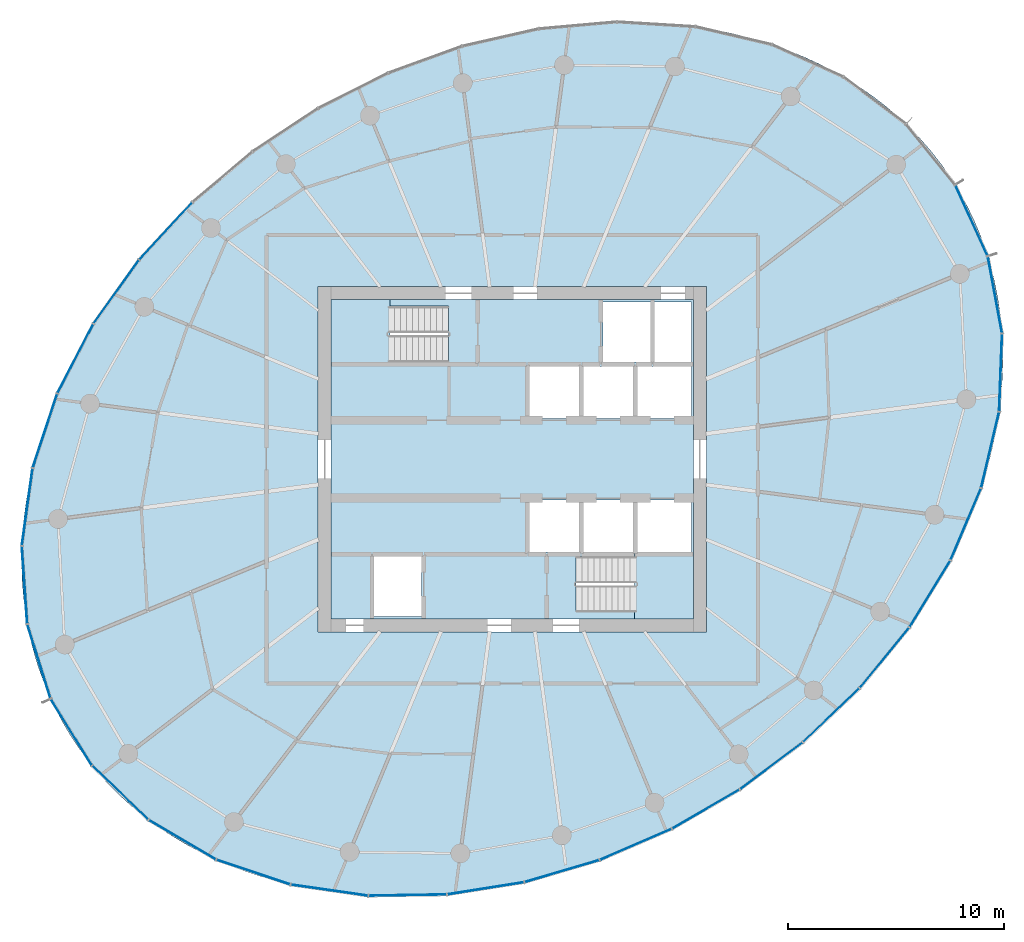
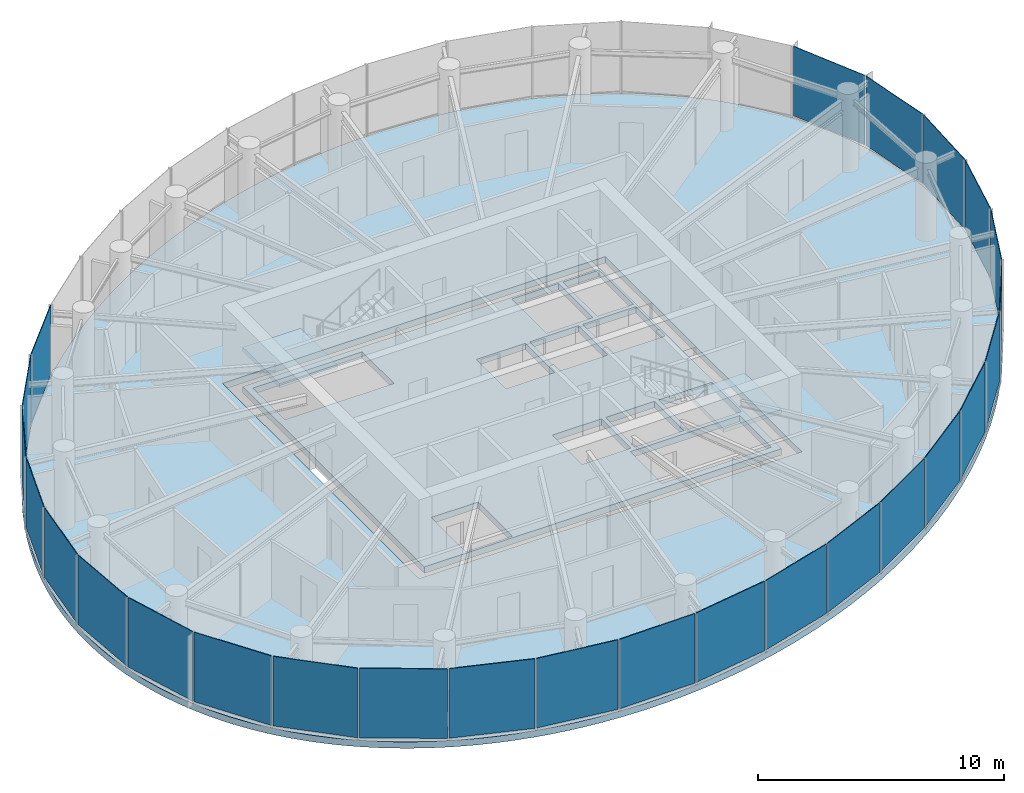
# One storey, part 8 of 15: 26 plates, 4 slabs, 7 elements without a shape of their own.
"""IFC4 building model written with IfcOpenShell, lengths in metres."""

from ifc_helpers import new_model, si_unit, direction, frame, origin, origin_2d, place, context, subcontext, project, spatial, line, indexed_curve, rectangle, outline, extrude, source, transform, mapped, material, layer, layer_set, type_object, element, aggregate, save


model = new_model("IFC4")

# Units and contexts
model_context = context("Model", 3, precision=1e-05, world=origin(), true_north=direction((0.0, 1.0)))
body_context = subcontext(model_context, "Body", "Model", "MODEL_VIEW")
ifc_project = project(units=[si_unit("LENGTHUNIT", "METRE"), si_unit("AREAUNIT", "SQUARE_METRE"), si_unit("VOLUMEUNIT", "CUBIC_METRE"), si_unit("PLANEANGLEUNIT", "RADIAN"), si_unit("MASSUNIT", "GRAM", prefix="KILO")], contexts=[model_context])

# Site, building, storey
site_placement = place(None, origin())
site = spatial("IfcSite", under=ifc_project, at=site_placement, CompositionType="ELEMENT")
building_placement = place(site_placement, origin())
building = spatial("IfcBuilding", under=site, at=building_placement, Name="Spindrift Exchange Tower", CompositionType="ELEMENT")
storey_placement = place(building_placement, frame((0.0, 0.0, 199.39990234375)))
storey = spatial("IfcBuildingStorey", under=building, at=storey_placement, Name="L48", CompositionType="ELEMENT", Elevation=199.39990234375)

# Slabs
ifc_material_1 = material(Name="Concrete 40 MPa", Category="concrete")
ifc_layer_1 = layer(ifc_material_1, 0.320068359375)
ifc_layer_set_1 = layer_set([ifc_layer_1], Name="RC Floor Slab 320 Concrete 40 MPa")
slab_type_1 = type_object("IfcSlabType", Name="RC Floor Slab 320 Concrete 40 MPa", PredefinedType="FLOOR", material=ifc_layer_set_1)
slab_1_placement = place(storey_placement, frame((0.0, 0.0, -0.31982421875)))
element("IfcSlab", 1, at=slab_1_placement, inside=storey, type_object=slab_type_1, Name="Floor slab L48", PredefinedType="FLOOR", context=body_context, shape_type="SweptSolid", body=[
    extrude(outline(indexed_curve([(72.54150390625, 60.718994140625), (72.130615234375, 61.345458984375), (71.9130859375, 61.650390625), (71.454345703125, 62.24267578125), (70.965576171875, 62.810302734375), (70.4482421875, 63.352294921875), (70.179443359375, 63.613037109375), (69.622802734375, 64.1142578125), (69.335205078125, 64.3544921875), (68.742919921875, 64.81298828125), (68.129150390625, 65.242919921875), (67.81494140625, 65.44677734375), (67.1728515625, 65.83251953125), (66.513916015625, 66.18896484375), (66.1787109375, 66.356201171875), (65.497802734375, 66.66845703125), (64.80419921875, 66.951904296875), (64.453125, 67.082763671875), (63.743408203125, 67.322998046875), (63.02490234375, 67.53515625), (62.298828125, 67.7197265625), (61.933349609375, 67.8017578125), (61.56640625, 67.877197265625), (60.828857421875, 68.0078125), (60.458251953125, 68.063720703125), (59.71484375, 68.155517578125), (59.342041015625, 68.192138671875), (58.5947265625, 68.246826171875), (57.84619140625, 68.277099609375), (57.4716796875, 68.283203125), (57.096923828125, 68.28369140625), (56.347900390625, 68.267333984375), (55.599853515625, 68.228271484375), (55.226318359375, 68.200439453125), (54.85302734375, 68.167236328125), (54.1083984375, 68.084716796875), (53.737060546875, 68.035400390625), (52.99658203125, 67.92138671875), (52.627685546875, 67.856689453125), (51.892578125, 67.712646484375), (51.5263671875, 67.63330078125), (50.797607421875, 67.459716796875), (49.71337890625, 67.163818359375), (48.641357421875, 66.826904296875), (47.5830078125, 66.449462890625), (46.5390625, 66.032958984375), (45.51123046875, 65.578369140625), (44.500732421875, 65.0869140625), (43.508544921875, 64.559326171875), (42.85791015625, 64.18798828125), (42.216064453125, 63.80126953125), (41.271484375, 63.192626953125), (40.34912109375, 62.550537109375), (39.747314453125, 62.104248046875), (39.156494140625, 61.6435546875), (38.29150390625, 60.92626953125), (37.45361328125, 60.177490234375), (36.643798828125, 59.398193359375), (35.8642578125, 58.5888671875), (35.1162109375, 57.75), (34.40185546875, 56.8828125), (33.945068359375, 56.288818359375), (33.72265625, 55.9873046875), (33.290771484375, 55.375244140625), (33.0810546875, 55.064697265625), (32.8759765625, 54.751220703125), (32.479248046875, 54.11572265625), (32.10107421875, 53.468994140625), (31.919189453125, 53.141357421875), (31.57080078125, 52.478271484375), (31.404052734375, 52.142822265625), (31.0869140625, 51.464111328125), (30.936279296875, 51.12109375), (30.791259765625, 50.775634765625), (30.5185546875, 50.077880859375), (30.26953125, 49.37109375), (30.154296875, 49.014892578125), (29.942626953125, 48.296142578125), (29.846435546875, 47.93408203125), (29.67431640625, 47.204833984375), (29.5986328125, 46.838134765625), (29.46826171875, 46.100341796875), (29.3671875, 45.35791015625), (29.327880859375, 44.985595703125), (29.272216796875, 44.23828125), (29.248291015625, 43.489501953125), (29.24853515625, 43.114990234375), (29.273681640625, 42.3662109375), (29.3330078125, 41.619384765625), (29.37548828125, 41.247314453125), (29.48681640625, 40.50634765625), (29.63330078125, 39.771728515625), (29.72021484375, 39.4072265625), (29.920654296875, 38.685302734375), (30.0341796875, 38.32861328125), (30.288818359375, 37.6240234375), (30.5791015625, 36.933349609375), (30.90478515625, 36.2587890625), (31.265380859375, 35.60205078125), (31.45849609375, 35.281005859375), (31.869384765625, 34.654541015625), (32.0869140625, 34.349609375), (32.545654296875, 33.75732421875), (33.034423828125, 33.189697265625), (33.5517578125, 32.647705078125), (33.820556640625, 32.386962890625), (34.377197265625, 31.8857421875), (34.664794921875, 31.6455078125), (35.257080078125, 31.18701171875), (35.870849609375, 30.757080078125), (36.18505859375, 30.55322265625), (36.8271484375, 30.16748046875), (37.486083984375, 29.81103515625), (37.8212890625, 29.643798828125), (38.502197265625, 29.33154296875), (39.19580078125, 29.048095703125), (39.546875, 28.917236328125), (40.256591796875, 28.677001953125), (40.97509765625, 28.46484375), (41.701171875, 28.2802734375), (42.066650390625, 28.1982421875), (42.43359375, 28.122802734375), (43.171142578125, 27.9921875), (43.541748046875, 27.936279296875), (44.28515625, 27.844482421875), (44.657958984375, 27.807861328125), (45.4052734375, 27.753173828125), (46.15380859375, 27.722900390625), (46.5283203125, 27.716796875), (46.903076171875, 27.71630859375), (47.652099609375, 27.732666015625), (48.400146484375, 27.771728515625), (48.773681640625, 27.799560546875), (49.14697265625, 27.832763671875), (49.8916015625, 27.915283203125), (50.262939453125, 27.964599609375), (51.00341796875, 28.07861328125), (51.372314453125, 28.143310546875), (52.107421875, 28.287353515625), (52.4736328125, 28.36669921875), (53.202392578125, 28.540283203125), (54.28662109375, 28.836181640625), (55.358642578125, 29.173095703125), (56.4169921875, 29.550537109375), (57.4609375, 29.967041015625), (58.48876953125, 30.421630859375), (59.499267578125, 30.9130859375), (60.491455078125, 31.440673828125), (61.14208984375, 31.81201171875), (61.783935546875, 32.19873046875), (62.728515625, 32.807373046875), (63.65087890625, 33.449462890625), (64.252685546875, 33.895751953125), (64.843505859375, 34.3564453125), (65.70849609375, 35.07373046875), (66.54638671875, 35.822509765625), (67.356201171875, 36.601806640625), (68.1357421875, 37.4111328125), (68.8837890625, 38.25), (69.59814453125, 39.1171875), (70.054931640625, 39.711181640625), (70.27734375, 40.0126953125), (70.709228515625, 40.624755859375), (70.9189453125, 40.935302734375), (71.1240234375, 41.248779296875), (71.520751953125, 41.88427734375), (71.89892578125, 42.531005859375), (72.080810546875, 42.858642578125), (72.42919921875, 43.521728515625), (72.595947265625, 43.857177734375), (72.9130859375, 44.535888671875), (73.063720703125, 44.87890625), (73.208740234375, 45.224365234375), (73.4814453125, 45.922119140625), (73.73046875, 46.62890625), (73.845703125, 46.985107421875), (74.057373046875, 47.703857421875), (74.153564453125, 48.06591796875), (74.32568359375, 48.795166015625), (74.4013671875, 49.161865234375), (74.53173828125, 49.899658203125), (74.6328125, 50.64208984375), (74.672119140625, 51.014404296875), (74.727783203125, 51.76171875), (74.751708984375, 52.510498046875), (74.75146484375, 52.885009765625), (74.726318359375, 53.6337890625), (74.6669921875, 54.380615234375), (74.62451171875, 54.752685546875), (74.51318359375, 55.49365234375), (74.36669921875, 56.228271484375), (74.27978515625, 56.5927734375), (74.079345703125, 57.314697265625), (73.9658203125, 57.67138671875), (73.711181640625, 58.3759765625), (73.4208984375, 59.066650390625), (73.09521484375, 59.7412109375), (72.734619140625, 60.39794921875)], segments=[line(1, 2, 3, 4, 5, 6, 7, 8, 9, 10, 11, 12, 13, 14, 15, 16, 17, 18, 19, 20, 21, 22, 23, 24, 25, 26, 27, 28, 29, 30, 31, 32, 33, 34, 35, 36, 37, 38, 39, 40, 41, 42, 43, 44, 45, 46, 47, 48, 49, 50, 51, 52, 53, 54, 55, 56, 57, 58, 59, 60, 61, 62, 63, 64, 65, 66, 67, 68, 69, 70, 71, 72, 73, 74, 75, 76, 77, 78, 79, 80, 81, 82, 83, 84, 85, 86, 87, 88, 89, 90, 91, 92, 93, 94, 95, 96, 97, 98, 99, 100, 101, 102, 103, 104, 105, 106, 107, 108, 109, 110, 111, 112, 113, 114, 115, 116, 117, 118, 119, 120, 121, 122, 123, 124, 125, 126, 127, 128, 129, 130, 131, 132, 133, 134, 135, 136, 137, 138, 139, 140, 141, 142, 143, 144, 145, 146, 147, 148, 149, 150, 151, 152, 153, 154, 155, 156, 157, 158, 159, 160, 161, 162, 163, 164, 165, 166, 167, 168, 169, 170, 171, 172, 173, 174, 175, 176, 177, 178, 179, 180, 181, 182, 183, 184, 185, 186, 187, 188, 189, 190, 191, 192, 193, 194, 195, 196, 197, 198, 1)], self_intersect=False), holes=[indexed_curve([(43.0, 40.0), (61.0, 40.0), (61.0, 56.0), (43.0, 56.0)], segments=[line(1, 2, 3, 4, 1)], self_intersect=False)]), origin(), (0.0, 0.0, 1.0), 0.31982421875),
])
ifc_material_2 = material(Name="Concrete 50 MPa", Category="concrete")
ifc_layer_2 = layer(ifc_material_2, 0.320068359375)
ifc_layer_set_2 = layer_set([ifc_layer_2], Name="SL-CORE-FLOOR-320")
slab_type_2 = type_object("IfcSlabType", Name="SL-CORE-FLOOR-320", PredefinedType="FLOOR", material=ifc_layer_set_2)
slab_2_placement = place(storey_placement, frame((0.0, 0.0, -0.31982421875)))
element("IfcSlab", 2, at=slab_2_placement, inside=storey, type_object=slab_type_2, Name="L48 Core floor slab", PredefinedType="FLOOR", context=body_context, shape_type="SweptSolid", body=[
    extrude(outline(indexed_curve([(43.60009765625, 40.60009765625), (43.60009765625, 55.39990234375), (60.39990234375, 55.39990234375), (60.39990234375, 40.60009765625)], segments=[line(1, 2, 3, 4, 1)], self_intersect=False), holes=[indexed_curve([(45.60009765625, 43.5), (45.60009765625, 40.699951171875), (47.800048828125, 40.699951171875), (47.800048828125, 43.5)], segments=[line(1, 2, 3, 4, 1)], self_intersect=False), indexed_curve([(52.800048828125, 46.10009765625), (52.800048828125, 43.699951171875), (55.10009765625, 43.699951171875), (55.10009765625, 46.10009765625)], segments=[line(1, 2, 3, 4, 1)], self_intersect=False), indexed_curve([(55.300048828125, 46.10009765625), (55.300048828125, 43.699951171875), (57.60009765625, 43.699951171875), (57.60009765625, 46.10009765625)], segments=[line(1, 2, 3, 4, 1)], self_intersect=False), indexed_curve([(55.10009765625, 52.300048828125), (52.800048828125, 52.300048828125), (52.800048828125, 49.89990234375), (55.10009765625, 49.89990234375)], segments=[line(1, 2, 3, 4, 1)], self_intersect=False), indexed_curve([(57.60009765625, 52.300048828125), (55.300048828125, 52.300048828125), (55.300048828125, 49.89990234375), (57.60009765625, 49.89990234375)], segments=[line(1, 2, 3, 4, 1)], self_intersect=False), indexed_curve([(43.906005859375, 52.506103515625), (49.0439453125, 52.506103515625), (49.0439453125, 55.093994140625), (43.906005859375, 55.093994140625)], segments=[line(1, 2, 3, 4, 1)], self_intersect=False), indexed_curve([(60.093994140625, 40.906005859375), (60.093994140625, 43.493896484375), (54.9560546875, 43.493896484375), (54.9560546875, 40.906005859375)], segments=[line(1, 2, 3, 4, 1)], self_intersect=False), indexed_curve([(60.300048828125, 46.10009765625), (57.800048828125, 46.10009765625), (57.800048828125, 43.699951171875), (60.300048828125, 43.699951171875)], segments=[line(1, 2, 3, 4, 1)], self_intersect=False), indexed_curve([(57.800048828125, 52.300048828125), (57.800048828125, 49.89990234375), (60.300048828125, 49.89990234375), (60.300048828125, 52.300048828125)], segments=[line(1, 2, 3, 4, 1)], self_intersect=False), indexed_curve([(58.39990234375, 55.300048828125), (56.199951171875, 55.300048828125), (56.199951171875, 52.5), (58.39990234375, 52.5)], segments=[line(1, 2, 3, 4, 1)], self_intersect=False), indexed_curve([(60.300048828125, 55.300048828125), (58.60009765625, 55.300048828125), (58.60009765625, 52.5), (60.300048828125, 52.5)], segments=[line(1, 2, 3, 4, 1)], self_intersect=False)]), origin(), (0.0, 0.0, 1.0), 0.31982421875),
])

# Stair, slab
stair_type = type_object("IfcStairType", Name="ST-1250-R177", PredefinedType="HALF_TURN_STAIR", material=ifc_material_2)
stair_1_placement = place(storey_placement, origin())
stair_1 = element("IfcStair", 3, at=stair_1_placement, inside=storey, type_object=stair_type, Name="L48 Exit stair ST1", PredefinedType="HALF_TURN_STAIR")
ifc_layer_3 = layer(ifc_material_2, 0.199951171875)
ifc_layer_set_3 = layer_set([ifc_layer_3], Name="SL-LANDING")
slab_type_3 = type_object("IfcSlabType", Name="SL-LANDING", PredefinedType="LANDING", material=ifc_layer_set_3)
slab_3_placement = place(storey_placement, frame((0.0, 0.0, 1.75)))
slab_3 = element("IfcSlab", 4, at=slab_3_placement, type_object=slab_type_3, Name="ST1 landing 1", PredefinedType="LANDING", context=body_context, shape_type="SweptSolid", body=[
    extrude(outline(indexed_curve([(46.330078125, 52.39990234375), (43.60009765625, 52.39990234375), (43.60009765625, 55.39990234375), (46.330078125, 55.39990234375)], segments=[line(1, 2, 3, 4, 1)], self_intersect=False)), origin(), (0.0, 0.0, 1.0), 0.2001953125),
])
aggregate(stair_1, [slab_3])

stair_2_placement = place(storey_placement, origin())
stair_2 = element("IfcStair", 5, at=stair_2_placement, inside=storey, type_object=stair_type, Name="L48 Exit stair ST2", PredefinedType="HALF_TURN_STAIR")
slab_4_placement = place(storey_placement, frame((0.0, 0.0, 1.75)))
slab_4 = element("IfcSlab", 6, at=slab_4_placement, type_object=slab_type_3, Name="ST2 landing 1", PredefinedType="LANDING", context=body_context, shape_type="SweptSolid", body=[
    extrude(outline(indexed_curve([(57.669921875, 43.60009765625), (60.39990234375, 43.60009765625), (60.39990234375, 40.60009765625), (57.669921875, 40.60009765625)], segments=[line(1, 2, 3, 4, 1)], self_intersect=False)), origin(), (0.0, 0.0, 1.0), 0.2001953125),
])
aggregate(stair_2, [slab_4])

# Curtain wall, plate
ifc_material_3 = material(Name="Fritted laminated glass with bronze frame", Category="glass")
ifc_layer_4 = layer(ifc_material_3, 0.169921875)
ifc_layer_set_4 = layer_set([ifc_layer_4], Name="ZONE 4 BRONZE FRITTED WALL")
curtain_wall_type = type_object("IfcCurtainWallType", Name="ZONE 4 BRONZE FRITTED WALL", PredefinedType="NOTDEFINED", material=ifc_layer_set_4)
curtain_wall_1_placement = place(storey_placement, origin())
curtain_wall_1 = element("IfcCurtainWall", 7, at=curtain_wall_1_placement, inside=storey, type_object=curtain_wall_type, Name="L48 Zone 4 Bronze Fritted Wall run 2", PredefinedType="NOTDEFINED")
ifc_material_4 = material(Name="Bronze fritted laminated glass, open frit", Category="glass")
ifc_layer_5 = layer(ifc_material_4, 0.030029296875)
ifc_layer_set_5 = layer_set([ifc_layer_5], Name="ZONE 4 BRONZE FRITTED WALL PANEL OPEN FRIT 360")
plate_type_1 = type_object("IfcPlateType", Name="ZONE 4 BRONZE FRITTED WALL PANEL OPEN FRIT 360", PredefinedType="CURTAIN_PANEL", material=ifc_layer_set_5)
shared_shape_1 = source(origin(), body_context, "Body", "SweptSolid", [
    extrude(rectangle(XDim=3.57763671875, YDim=0.030029296875, at=origin_2d()), origin(), (0.0, 0.0, 1.0), 3.455078125),
])
plate_1_placement = place(storey_placement, frame((35.933349609375, 58.579833984375, 0.125), z_axis=(0.0, 0.0, 1.0), x_axis=(-0.680673561983, -0.732586856296, 0.0)))
plate_1 = element("IfcPlate", 8, at=plate_1_placement, type_object=plate_type_1, Name="L48 panel CW-4.12", PredefinedType="CURTAIN_PANEL", context=body_context, shape_type="MappedRepresentation", body=[
    mapped(shared_shape_1, transform((0.0, 0.0, 0.0), scale=1.0)),
])
aggregate(curtain_wall_1, [plate_1])

# Curtain wall, plates
curtain_wall_2_placement = place(storey_placement, origin())
curtain_wall_2 = element("IfcCurtainWall", 9, at=curtain_wall_2_placement, inside=storey, type_object=curtain_wall_type, Name="L48 Zone 4 Bronze Fritted Wall run 5", PredefinedType="NOTDEFINED")
plate_2_placement = place(storey_placement, frame((57.72802734375, 30.139892578125, 0.125), z_axis=(0.0, 0.0, 1.0), x_axis=(0.917871036074, 0.396878773855, 0.0)))
plate_2 = element("IfcPlate", 10, at=plate_2_placement, type_object=plate_type_1, Name="L48 panel CW-4.27", PredefinedType="CURTAIN_PANEL", context=body_context, shape_type="MappedRepresentation", body=[
    mapped(shared_shape_1, transform((0.0, 0.0, 0.0), scale=1.0)),
])
ifc_layer_6 = layer(ifc_material_4, 0.030029296875)
ifc_layer_set_6 = layer_set([ifc_layer_6], Name="ZONE 4 BRONZE FRITTED WALL PANEL OPEN FRIT 480")
plate_type_2 = type_object("IfcPlateType", Name="ZONE 4 BRONZE FRITTED WALL PANEL OPEN FRIT 480", PredefinedType="CURTAIN_PANEL", material=ifc_layer_set_6)
shared_shape_2 = source(origin(), body_context, "Body", "SweptSolid", [
    extrude(rectangle(XDim=3.577880859375, YDim=0.030029296875, at=origin_2d()), origin(), (0.0, 0.0, 1.0), 3.455078125),
])
plate_3_placement = place(storey_placement, frame((60.9755859375, 31.776123046875, 0.125), z_axis=(0.0, 0.0, 1.0), x_axis=(0.865141792095, 0.501527346782, 0.0)))
plate_3 = element("IfcPlate", 11, at=plate_3_placement, type_object=plate_type_2, Name="L48 panel CW-4.28", PredefinedType="CURTAIN_PANEL", context=body_context, shape_type="MappedRepresentation", body=[
    mapped(shared_shape_2, transform((0.0, 0.0, 0.0), scale=1.0)),
])

# Curtain wall, plate
curtain_wall_3_placement = place(storey_placement, origin())
curtain_wall_3 = element("IfcCurtainWall", 12, at=curtain_wall_3_placement, inside=storey, type_object=curtain_wall_type, Name="L48 Zone 4 Bronze Fritted Wall run 3", PredefinedType="NOTDEFINED")
shared_shape_3 = source(origin(), body_context, "Body", "SweptSolid", [
    extrude(rectangle(XDim=3.5771484375, YDim=0.030029296875, at=origin_2d()), origin(), (0.0, 0.0, 1.0), 3.455078125),
])
plate_4_placement = place(storey_placement, frame((33.636474609375, 55.762939453125, 0.125), z_axis=(0.0, 0.0, 1.0), x_axis=(-0.580545224956, -0.81422800356, 0.0)))
plate_4 = element("IfcPlate", 13, at=plate_4_placement, type_object=plate_type_1, Name="L48 panel CW-4.13", PredefinedType="CURTAIN_PANEL", context=body_context, shape_type="MappedRepresentation", body=[
    mapped(shared_shape_3, transform((0.0, 0.0, 0.0), scale=1.0)),
])

curtain_wall_4_placement = place(storey_placement, origin())
curtain_wall_4 = element("IfcCurtainWall", 14, at=curtain_wall_4_placement, inside=storey, type_object=curtain_wall_type, Name="L48 Zone 4 Bronze Fritted Wall run 4", PredefinedType="NOTDEFINED")
ifc_layer_7 = layer(ifc_material_4, 0.030029296875)
ifc_layer_set_7 = layer_set([ifc_layer_7], Name="ZONE 4 BRONZE FRITTED WALL PANEL OPEN FRIT 600")
plate_type_3 = type_object("IfcPlateType", Name="ZONE 4 BRONZE FRITTED WALL PANEL OPEN FRIT 600", PredefinedType="CURTAIN_PANEL", material=ifc_layer_set_7)
shared_shape_4 = source(origin(), body_context, "Body", "SweptSolid", [
    extrude(rectangle(XDim=3.57080078125, YDim=0.030029296875, at=origin_2d()), origin(), (0.0, 0.0, 1.0), 3.455078125),
])
plate_5_placement = place(storey_placement, frame((33.824462890625, 32.537109375, 0.125), z_axis=(0.0, 0.0, 1.0), x_axis=(0.72104832441, -0.692884776759, 0.0)))
plate_5 = element("IfcPlate", 15, at=plate_5_placement, type_object=plate_type_3, Name="L48 panel CW-4.20", PredefinedType="CURTAIN_PANEL", context=body_context, shape_type="MappedRepresentation", body=[
    mapped(shared_shape_4, transform((0.0, 0.0, 0.0), scale=1.0)),
])

# Plate
shared_shape_5 = source(origin(), body_context, "Body", "SweptSolid", [
    extrude(rectangle(XDim=3.57080078125, YDim=0.030029296875, at=origin_2d()), origin(), (0.0, 0.0, 1.0), 3.455078125),
])
plate_6_placement = place(storey_placement, frame((30.056884765625, 38.6220703125, 0.125), z_axis=(0.0, 0.0, 1.0), x_axis=(0.298864248002, -0.954295636198, 0.0)))
plate_6 = element("IfcPlate", 16, at=plate_6_placement, type_object=plate_type_2, Name="L48 panel CW-4.18", PredefinedType="CURTAIN_PANEL", context=body_context, shape_type="MappedRepresentation", body=[
    mapped(shared_shape_5, transform((0.0, 0.0, 0.0), scale=1.0)),
])

shared_shape_6 = source(origin(), body_context, "Body", "SweptSolid", [
    extrude(rectangle(XDim=3.5771484375, YDim=0.030029296875, at=origin_2d()), origin(), (0.0, 0.0, 1.0), 3.455078125),
])
plate_7_placement = place(storey_placement, frame((50.763916015625, 28.101318359375, 0.125), z_axis=(0.0, 0.0, 1.0), x_axis=(0.987638325792, 0.156749920023, 0.0)))
plate_7 = element("IfcPlate", 17, at=plate_7_placement, type_object=plate_type_2, Name="L48 panel CW-4.25", PredefinedType="CURTAIN_PANEL", context=body_context, shape_type="MappedRepresentation", body=[
    mapped(shared_shape_6, transform((0.0, 0.0, 0.0), scale=1.0)),
])

shared_shape_7 = source(origin(), body_context, "Body", "SweptSolid", [
    extrude(rectangle(XDim=3.577880859375, YDim=0.030029296875, at=origin_2d()), origin(), (0.0, 0.0, 1.0), 3.455078125),
])
plate_8_placement = place(storey_placement, frame((64.010498046875, 33.780029296875, 0.125), z_axis=(0.0, 0.0, 1.0), x_axis=(0.801039685357, 0.598611244869, 0.0)))
plate_8 = element("IfcPlate", 18, at=plate_8_placement, type_object=plate_type_3, Name="L48 panel CW-4.29", PredefinedType="CURTAIN_PANEL", context=body_context, shape_type="MappedRepresentation", body=[
    mapped(shared_shape_7, transform((0.0, 0.0, 0.0), scale=1.0)),
])

shared_shape_8 = source(origin(), body_context, "Body", "SweptSolid", [
    extrude(rectangle(XDim=3.57763671875, YDim=0.030029296875, at=origin_2d()), origin(), (0.0, 0.0, 1.0), 3.455078125),
])
plate_9_placement = place(storey_placement, frame((66.788818359375, 36.1259765625, 0.125), z_axis=(0.0, 0.0, 1.0), x_axis=(0.724390882494, 0.689389475811, 0.0)))
plate_9 = element("IfcPlate", 19, at=plate_9_placement, type_object=plate_type_2, Name="L48 panel CW-4.30", PredefinedType="CURTAIN_PANEL", context=body_context, shape_type="MappedRepresentation", body=[
    mapped(shared_shape_8, transform((0.0, 0.0, 0.0), scale=1.0)),
])

# Curtain wall, plates
curtain_wall_5_placement = place(storey_placement, origin())
curtain_wall_5 = element("IfcCurtainWall", 20, at=curtain_wall_5_placement, inside=storey, type_object=curtain_wall_type, Name="L48 Zone 4 Bronze Fritted Wall run 6", PredefinedType="NOTDEFINED")
shared_shape_9 = source(origin(), body_context, "Body", "SweptSolid", [
    extrude(rectangle(XDim=3.577392578125, YDim=0.030029296875, at=origin_2d()), origin(), (0.0, 0.0, 1.0), 3.455078125),
])
plate_10_placement = place(storey_placement, frame((69.2607421875, 38.79150390625, 0.125), z_axis=(0.0, 0.0, 1.0), x_axis=(0.632883719028, 0.774246858689, 0.0)))
plate_10 = element("IfcPlate", 21, at=plate_10_placement, type_object=plate_type_2, Name="L48 panel CW-4.31", PredefinedType="CURTAIN_PANEL", context=body_context, shape_type="MappedRepresentation", body=[
    mapped(shared_shape_9, transform((0.0, 0.0, 0.0), scale=1.0)),
])
shared_shape_10 = source(origin(), body_context, "Body", "SweptSolid", [
    extrude(rectangle(XDim=3.5703125, YDim=0.030029296875, at=origin_2d()), origin(), (0.0, 0.0, 1.0), 3.455078125),
])
plate_11_placement = place(storey_placement, frame((73.295654296875, 59.065185546875, 0.125), z_axis=(0.0, 0.0, 1.0), x_axis=(-0.414828233564, 0.909899739882, 0.0)))
plate_11 = element("IfcPlate", 22, at=plate_11_placement, type_object=plate_type_3, Name="L48 panel CW-4.37", PredefinedType="CURTAIN_PANEL", context=body_context, shape_type="MappedRepresentation", body=[
    mapped(shared_shape_10, transform((0.0, 0.0, 0.0), scale=1.0)),
])
shared_shape_11 = source(origin(), body_context, "Body", "SweptSolid", [
    extrude(rectangle(XDim=3.576171875, YDim=0.030029296875, at=origin_2d()), origin(), (0.0, 0.0, 1.0), 3.455078125),
])
plate_12_placement = place(storey_placement, frame((73.029296875, 44.9814453125, 0.125), z_axis=(0.0, 0.0, 1.0), x_axis=(0.390432283273, 0.920631648477, 0.0)))
plate_12 = element("IfcPlate", 23, at=plate_12_placement, type_object=plate_type_3, Name="L48 panel CW-4.33", PredefinedType="CURTAIN_PANEL", context=body_context, shape_type="MappedRepresentation", body=[
    mapped(shared_shape_11, transform((0.0, 0.0, 0.0), scale=1.0)),
])

# Plate
shared_shape_12 = source(origin(), body_context, "Body", "SweptSolid", [
    extrude(rectangle(XDim=3.57763671875, YDim=0.030029296875, at=origin_2d()), origin(), (0.0, 0.0, 1.0), 3.455078125),
])
plate_13_placement = place(storey_placement, frame((54.309326171875, 28.90185546875, 0.125), z_axis=(0.0, 0.0, 1.0), x_axis=(0.959180817752, 0.282793491537, 0.0)))
plate_13 = element("IfcPlate", 24, at=plate_13_placement, type_object=plate_type_3, Name="L48 panel CW-4.26", PredefinedType="CURTAIN_PANEL", context=body_context, shape_type="MappedRepresentation", body=[
    mapped(shared_shape_12, transform((0.0, 0.0, 0.0), scale=1.0)),
])

aggregate(curtain_wall_2, [plate_7, plate_13, plate_2, plate_3, plate_8, plate_9])

shared_shape_13 = source(origin(), body_context, "Body", "SweptSolid", [
    extrude(rectangle(XDim=3.57421875, YDim=0.030029296875, at=origin_2d()), origin(), (0.0, 0.0, 1.0), 3.455078125),
])
plate_14_placement = place(storey_placement, frame((29.51123046875, 45.787841796875, 0.125), z_axis=(0.0, 0.0, 1.0), x_axis=(-0.137696941283, -0.990474407727, 0.0)))
plate_14 = element("IfcPlate", 25, at=plate_14_placement, type_object=plate_type_1, Name="L48 panel CW-4.16", PredefinedType="CURTAIN_PANEL", context=body_context, shape_type="MappedRepresentation", body=[
    mapped(shared_shape_13, transform((0.0, 0.0, 0.0), scale=1.0)),
])

shared_shape_14 = source(origin(), body_context, "Body", "SweptSolid", [
    extrude(rectangle(XDim=3.572509765625, YDim=0.030029296875, at=origin_2d()), origin(), (0.0, 0.0, 1.0), 3.455078125),
])
plate_15_placement = place(storey_placement, frame((29.38720703125, 42.171142578125, 0.125), z_axis=(0.0, 0.0, 1.0), x_axis=(0.069528390742, -0.997579973176, 0.0)))
plate_15 = element("IfcPlate", 26, at=plate_15_placement, type_object=plate_type_1, Name="L48 panel CW-4.17", PredefinedType="CURTAIN_PANEL", context=body_context, shape_type="MappedRepresentation", body=[
    mapped(shared_shape_14, transform((0.0, 0.0, 0.0), scale=1.0)),
])

plate_16_placement = place(storey_placement, frame((36.703125, 30.355712890625, 0.125), z_axis=(0.0, 0.0, 1.0), x_axis=(0.862008051631, -0.506894583639, 0.0)))
plate_16 = element("IfcPlate", 27, at=plate_16_placement, type_object=plate_type_1, Name="L48 panel CW-4.21", PredefinedType="CURTAIN_PANEL", context=body_context, shape_type="MappedRepresentation", body=[
    mapped(shared_shape_14, transform((0.0, 0.0, 0.0), scale=1.0)),
])

shared_shape_15 = source(origin(), body_context, "Body", "SweptSolid", [
    extrude(rectangle(XDim=3.570068359375, YDim=0.030029296875, at=origin_2d()), origin(), (0.0, 0.0, 1.0), 3.455078125),
])
plate_17_placement = place(storey_placement, frame((31.556884765625, 35.342041015625, 0.125), z_axis=(0.0, 0.0, 1.0), x_axis=(0.526429107768, -0.850219027366, 0.0)))
plate_17 = element("IfcPlate", 28, at=plate_17_placement, type_object=plate_type_1, Name="L48 panel CW-4.19", PredefinedType="CURTAIN_PANEL", context=body_context, shape_type="MappedRepresentation", body=[
    mapped(shared_shape_15, transform((0.0, 0.0, 0.0), scale=1.0)),
])

shared_shape_16 = source(origin(), body_context, "Body", "SweptSolid", [
    extrude(rectangle(XDim=3.57421875, YDim=0.030029296875, at=origin_2d()), origin(), (0.0, 0.0, 1.0), 3.455078125),
])
plate_18_placement = place(storey_placement, frame((39.995849609375, 28.854736328125, 0.125), z_axis=(0.0, 0.0, 1.0), x_axis=(0.94802196001, -0.318204907786, 0.0)))
plate_18 = element("IfcPlate", 29, at=plate_18_placement, type_object=plate_type_2, Name="L48 panel CW-4.22", PredefinedType="CURTAIN_PANEL", context=body_context, shape_type="MappedRepresentation", body=[
    mapped(shared_shape_16, transform((0.0, 0.0, 0.0), scale=1.0)),
])

shared_shape_17 = source(origin(), body_context, "Body", "SweptSolid", [
    extrude(rectangle(XDim=3.571533203125, YDim=0.030029296875, at=origin_2d()), origin(), (0.0, 0.0, 1.0), 3.455078125),
])
plate_19_placement = place(storey_placement, frame((74.381591796875, 55.62353515625, 0.125), z_axis=(0.0, 0.0, 1.0), x_axis=(-0.182590747027, 0.98318900477, 0.0)))
plate_19 = element("IfcPlate", 30, at=plate_19_placement, type_object=plate_type_1, Name="L48 panel CW-4.36", PredefinedType="CURTAIN_PANEL", context=body_context, shape_type="MappedRepresentation", body=[
    mapped(shared_shape_17, transform((0.0, 0.0, 0.0), scale=1.0)),
])

shared_shape_18 = source(origin(), body_context, "Body", "SweptSolid", [
    extrude(rectangle(XDim=3.576904296875, YDim=0.030029296875, at=origin_2d()), origin(), (0.0, 0.0, 1.0), 3.455078125),
])
plate_20_placement = place(storey_placement, frame((71.365966796875, 41.753662109375, 0.125), z_axis=(0.0, 0.0, 1.0), x_axis=(0.523083279921, 0.85228157452, 0.0)))
plate_20 = element("IfcPlate", 31, at=plate_20_placement, type_object=plate_type_1, Name="L48 panel CW-4.32", PredefinedType="CURTAIN_PANEL", context=body_context, shape_type="MappedRepresentation", body=[
    mapped(shared_shape_18, transform((0.0, 0.0, 0.0), scale=1.0)),
])

shared_shape_19 = source(origin(), body_context, "Body", "SweptSolid", [
    extrude(rectangle(XDim=3.574951171875, YDim=0.030029296875, at=origin_2d()), origin(), (0.0, 0.0, 1.0), 3.455078125),
])
plate_21_placement = place(storey_placement, frame((74.158203125, 48.4287109375, 0.125), z_axis=(0.0, 0.0, 1.0), x_axis=(0.229760979082, 0.973247087071, 0.0)))
plate_21 = element("IfcPlate", 32, at=plate_21_placement, type_object=plate_type_3, Name="L48 panel CW-4.34", PredefinedType="CURTAIN_PANEL", context=body_context, shape_type="MappedRepresentation", body=[
    mapped(shared_shape_19, transform((0.0, 0.0, 0.0), scale=1.0)),
])

shared_shape_20 = source(origin(), body_context, "Body", "SweptSolid", [
    extrude(rectangle(XDim=3.576416015625, YDim=0.030029296875, at=origin_2d()), origin(), (0.0, 0.0, 1.0), 3.455078125),
])
plate_22_placement = place(storey_placement, frame((31.74169921875, 52.663330078125, 0.125), z_axis=(0.0, 0.0, 1.0), x_axis=(-0.459942543466, -0.887948679097, 0.0)))
plate_22 = element("IfcPlate", 33, at=plate_22_placement, type_object=plate_type_1, Name="L48 panel CW-4.14", PredefinedType="CURTAIN_PANEL", context=body_context, shape_type="MappedRepresentation", body=[
    mapped(shared_shape_20, transform((0.0, 0.0, 0.0), scale=1.0)),
])

plate_23_placement = place(storey_placement, frame((47.14501953125, 27.787109375, 0.125), z_axis=(0.0, 0.0, 1.0), x_axis=(0.999873154085, 0.015927201286, 0.0)))
plate_23 = element("IfcPlate", 34, at=plate_23_placement, type_object=plate_type_1, Name="L48 panel CW-4.24", PredefinedType="CURTAIN_PANEL", context=body_context, shape_type="MappedRepresentation", body=[
    mapped(shared_shape_20, transform((0.0, 0.0, 0.0), scale=1.0)),
])

shared_shape_21 = source(origin(), body_context, "Body", "SweptSolid", [
    extrude(rectangle(XDim=3.57568359375, YDim=0.030029296875, at=origin_2d()), origin(), (0.0, 0.0, 1.0), 3.455078125),
])
plate_24_placement = place(storey_placement, frame((30.3330078125, 49.318359375, 0.125), z_axis=(0.0, 0.0, 1.0), x_axis=(-0.313878116547, -0.949463284152, 0.0)))
plate_24 = element("IfcPlate", 35, at=plate_24_placement, type_object=plate_type_1, Name="L48 panel CW-4.15", PredefinedType="CURTAIN_PANEL", context=body_context, shape_type="MappedRepresentation", body=[
    mapped(shared_shape_21, transform((0.0, 0.0, 0.0), scale=1.0)),
])

aggregate(curtain_wall_3, [plate_4, plate_22, plate_24, plate_14, plate_15, plate_6])

shared_shape_22 = source(origin(), body_context, "Body", "SweptSolid", [
    extrude(rectangle(XDim=3.57568359375, YDim=0.030029296875, at=origin_2d()), origin(), (0.0, 0.0, 1.0), 3.455078125),
])
plate_25_placement = place(storey_placement, frame((43.522705078125, 28.016845703125, 0.125), z_axis=(0.0, 0.0, 1.0), x_axis=(0.989837625743, -0.142202231569, 0.0)))
plate_25 = element("IfcPlate", 36, at=plate_25_placement, type_object=plate_type_3, Name="L48 panel CW-4.23", PredefinedType="CURTAIN_PANEL", context=body_context, shape_type="MappedRepresentation", body=[
    mapped(shared_shape_22, transform((0.0, 0.0, 0.0), scale=1.0)),
])

aggregate(curtain_wall_4, [plate_17, plate_5, plate_16, plate_18, plate_25, plate_23])

shared_shape_23 = source(origin(), body_context, "Body", "SweptSolid", [
    extrude(rectangle(XDim=3.573486328125, YDim=0.030029296875, at=origin_2d()), origin(), (0.0, 0.0, 1.0), 3.455078125),
])
plate_26_placement = place(storey_placement, frame((74.64501953125, 52.01806640625, 0.125), z_axis=(0.0, 0.0, 1.0), x_axis=(0.037737273035, 0.999287695423, 0.0)))
plate_26 = element("IfcPlate", 37, at=plate_26_placement, type_object=plate_type_2, Name="L48 panel CW-4.35", PredefinedType="CURTAIN_PANEL", context=body_context, shape_type="MappedRepresentation", body=[
    mapped(shared_shape_23, transform((0.0, 0.0, 0.0), scale=1.0)),
])

aggregate(curtain_wall_5, [plate_10, plate_20, plate_12, plate_21, plate_26, plate_19, plate_11])

save(model, "model.ifc")
